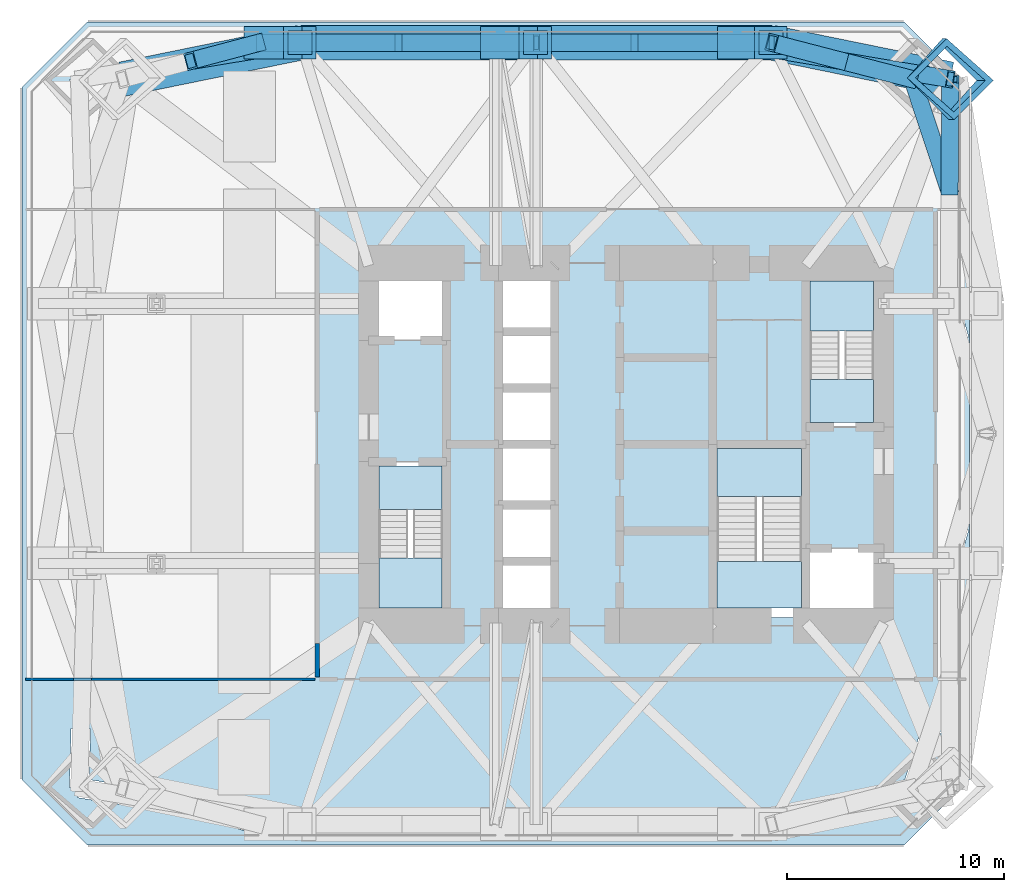
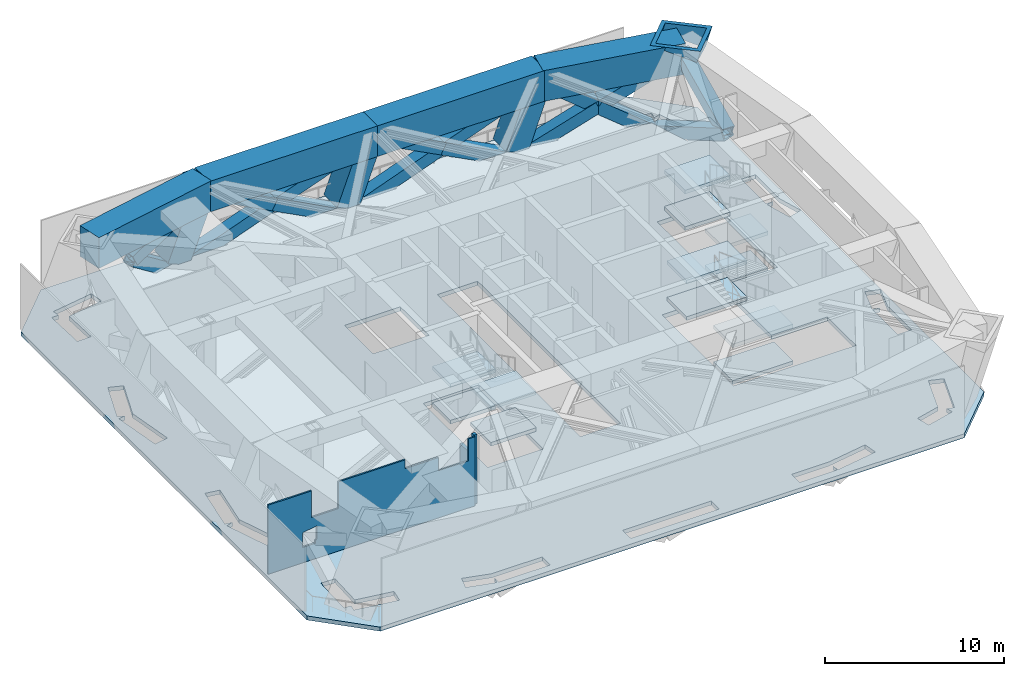
# One storey, part 3 of 8: 20 members, 13 slabs, 4 beams, 2 walls, 3 elements without a shape of their own.
"""IFC4 building model written with IfcOpenShell, lengths in metres."""

import ifcopenshell
import ifcopenshell.guid

model = None  # the IFC model being written
_history = None  # IfcOwnerHistory: only IFC2X3 demands one
_inside = {}  # id of a spatial element -> (the spatial element, [elements in it])
_under = {}  # id of a project, library or spatial element -> (it, [spatial elements below it])
_declared = {}  # id of a project -> (the project, [libraries it declares])
_typed = {}  # id of a type object -> (the type object, [elements of that type])
_made_of = {}  # id of a material, layer set ... -> (it, [elements and type objects made of it])


def new_model(schema):
    """Start an empty IFC model of exactly this schema.

    Asked for "IFC4X3", IfcOpenShell would pick the latest addendum, in which some entities
    have other attributes; the version numbers below select the first issue.
    IFC2X3 requires an IfcOwnerHistory on every rooted entity: one is made here for all.
    """
    global model, _history
    if schema == "IFC4X3":
        model = ifcopenshell.file(schema_version=(4, 3, 0, 0))
    else:
        model = ifcopenshell.file(schema=schema)
    _inside.clear()
    _under.clear()
    _declared.clear()
    _typed.clear()
    _made_of.clear()
    _history = None
    if model.schema == "IFC2X3":
        org = make("IfcOrganization", Name="unknown")
        user = make(
            "IfcPersonAndOrganization",
            ThePerson=make("IfcPerson", FamilyName="unknown"),
            TheOrganization=org,
        )
        app = make(
            "IfcApplication",
            ApplicationDeveloper=org,
            Version="unknown",
            ApplicationFullName="unknown",
            ApplicationIdentifier="unknown",
        )
        _history = make(
            "IfcOwnerHistory",
            OwningUser=user,
            OwningApplication=app,
            ChangeAction="ADDED",
            CreationDate=0,
        )
    return model


def make(cls, **values):
    """One entity of the class cls with the attributes given. An attribute that is None is left unset."""
    return model.create_entity(
        cls, **{name: value for name, value in values.items() if value is not None}
    )


def rooted(cls, **values):
    """An entity with a GlobalId (a new one), such as an element, a storey or a relation."""
    return make(cls, GlobalId=ifcopenshell.guid.new(), OwnerHistory=_history, **values)


def si_unit(unit_type, name, prefix=None):
    """IfcSIUnit, for example si_unit("LENGTHUNIT", "METRE", prefix="MILLI")."""
    return make("IfcSIUnit", UnitType=unit_type, Prefix=prefix, Name=name)


def assignment(units):
    """IfcUnitAssignment: the units of a project."""
    return None if units is None else make("IfcUnitAssignment", Units=units)


def point(xyz):
    """IfcCartesianPoint."""
    return None if xyz is None else make("IfcCartesianPoint", Coordinates=xyz)


def direction(xyz):
    """IfcDirection."""
    return None if xyz is None else make("IfcDirection", DirectionRatios=xyz)


def frame(location, z_axis=None, x_axis=None):
    """IfcAxis2Placement3D, a coordinate frame: its origin and axes. An axis left out is left unset."""
    return make(
        "IfcAxis2Placement3D",
        Location=point(location),
        Axis=direction(z_axis),
        RefDirection=direction(x_axis),
    )


def frame_2d(location, x_axis=None):
    """IfcAxis2Placement2D, a coordinate frame in the plane: its origin and x axis."""
    return make(
        "IfcAxis2Placement2D", Location=point(location), RefDirection=direction(x_axis)
    )


def origin():
    """The frame at (0, 0, 0) with its axes left unset."""
    return frame((0.0, 0.0, 0.0))


def origin_2d():
    """The frame at (0, 0) in the plane with its x axis left unset."""
    return frame_2d((0.0, 0.0))


def place(relative_to, where):
    """IfcLocalPlacement: puts the frame where relative to a parent placement (None: the world)."""
    return make(
        "IfcLocalPlacement", PlacementRelTo=relative_to, RelativePlacement=where
    )


def context(
    kind, dimensions, precision=None, world=None, true_north=None, identifier=None
):
    """IfcGeometricRepresentationContext, for example the 3D "Model" context."""
    return make(
        "IfcGeometricRepresentationContext",
        ContextIdentifier=identifier,
        ContextType=kind,
        CoordinateSpaceDimension=dimensions,
        Precision=precision,
        WorldCoordinateSystem=world,
        TrueNorth=true_north,
    )


def subcontext(parent, identifier, kind, view, scale=None):
    """IfcGeometricRepresentationSubContext, for example "Body" below "Model"."""
    return make(
        "IfcGeometricRepresentationSubContext",
        ContextIdentifier=identifier,
        ContextType=kind,
        ParentContext=parent,
        TargetScale=scale,
        TargetView=view,
    )


def project(units=None, contexts=None):
    """IfcProject with its units and contexts."""
    return rooted(
        "IfcProject",
        Name="project",
        RepresentationContexts=contexts,
        UnitsInContext=assignment(units),
    )


def spatial(cls, under=None, at=None, **own):
    """A site, building, storey or space (cls), placed at a placement, below another one or the project."""
    s = rooted(cls, ObjectPlacement=at, **own)
    if under is not None:
        _under.setdefault(under.id(), (under, []))[1].append(s)
    return s


def polyline(points):
    """IfcPolyline through the points."""
    return make("IfcPolyline", Points=[point(p) for p in points])


def profile(cls, at=None, kind="AREA", **sizes):
    """A parametric profile (cls). Its sizes go by their IFC names, for example OverallWidth=200.0."""
    return make(cls, ProfileType=kind, Position=at, **sizes)


def rectangle(**sizes):
    """IfcRectangleProfileDef."""
    return profile("IfcRectangleProfileDef", **sizes)


def hollow_rectangle(**sizes):
    """IfcRectangleHollowProfileDef."""
    return profile("IfcRectangleHollowProfileDef", **sizes)


def outline(outer, holes=None, kind="AREA"):
    """IfcArbitraryClosedProfileDef: a profile drawn as a closed curve; with holes, ...WithVoids."""
    if holes is None:
        return make("IfcArbitraryClosedProfileDef", ProfileType=kind, OuterCurve=outer)
    return make(
        "IfcArbitraryProfileDefWithVoids",
        ProfileType=kind,
        OuterCurve=outer,
        InnerCurves=holes,
    )


def extrude(swept, where, along, depth):
    """IfcExtrudedAreaSolid: the profile swept, set in the frame where, extruded along a direction by depth."""
    return make(
        "IfcExtrudedAreaSolid",
        SweptArea=swept,
        Position=where,
        ExtrudedDirection=direction(along),
        Depth=depth,
    )


def clip(a, b, op="DIFFERENCE"):
    """IfcBooleanClippingResult: the solid a cut by the half space b."""
    return make(
        "IfcBooleanClippingResult", Operator=op, FirstOperand=a, SecondOperand=b
    )


def halfspace(plane, agree):
    """IfcHalfSpaceSolid: all space on one side of the plane z = 0 of the frame plane."""
    return make(
        "IfcHalfSpaceSolid",
        BaseSurface=make("IfcPlane", Position=plane),
        AgreementFlag=agree,
    )


def shape(context_of_items, identifier, shape_type, items):
    """IfcShapeRepresentation: the items that make up one representation, for example the "Body"."""
    return make(
        "IfcShapeRepresentation",
        ContextOfItems=context_of_items,
        RepresentationIdentifier=identifier,
        RepresentationType=shape_type,
        Items=items,
    )


def material(Name=None, Category=None):
    """IfcMaterial."""
    return make("IfcMaterial", Name=Name, Category=Category)


def layer(
    of_material, thickness, ventilated=None, Name=None, Category=None, Priority=None
):
    """IfcMaterialLayer: one layer of a wall or slab, of a material (None: an air gap)."""
    return make(
        "IfcMaterialLayer",
        Material=of_material,
        LayerThickness=thickness,
        IsVentilated=ventilated,
        Name=Name,
        Category=Category,
        Priority=Priority,
    )


def layer_set(layers, Name=None):
    """IfcMaterialLayerSet."""
    return make("IfcMaterialLayerSet", MaterialLayers=layers, LayerSetName=Name)


def constituent(of_material, Name=None, Category=None, fraction=None):
    """IfcMaterialConstituent: one of the materials an element consists of."""
    return make(
        "IfcMaterialConstituent",
        Name=Name,
        Material=of_material,
        Fraction=fraction,
        Category=Category,
    )


def constituent_set(constituents=None, Name=None):
    """IfcMaterialConstituentSet."""
    return make(
        "IfcMaterialConstituentSet", Name=Name, MaterialConstituents=constituents
    )


def material_profile(
    of_material, cross_section, Name=None, Category=None, Priority=None
):
    """IfcMaterialProfile: a cross section and its material."""
    return make(
        "IfcMaterialProfile",
        Name=Name,
        Material=of_material,
        Profile=cross_section,
        Priority=Priority,
        Category=Category,
    )


def profile_set(profiles, Name=None, composite=None):
    """IfcMaterialProfileSet."""
    return make(
        "IfcMaterialProfileSet",
        Name=Name,
        MaterialProfiles=profiles,
        CompositeProfile=composite,
    )


def made_of(thing, what):
    """Note that an element or type object is made of a material, layer set ...; save() writes the relation."""
    if what is not None:
        _made_of.setdefault(what.id(), (what, []))[1].append(thing)
    return thing


def type_object(cls, material=None, **own):
    """A type object (cls), such as IfcWallType, which elements share."""
    return made_of(rooted(cls, **own), material)


def element(
    cls,
    number,
    at=None,
    inside=None,
    cuts=None,
    type_object=None,
    material=None,
    context=None,
    identifier="Body",
    shape_type=None,
    held_by="IfcProductDefinitionShape",
    body=None,
    shapes=None,
    **own,
):
    """One element of the class cls, such as IfcWall. Its Tag is "e" and its number.

    at: its placement. inside: the storey or other place that contains it. cuts: it is an
    opening in that element (IfcRelVoidsElement). A single representation is given by context,
    identifier, shape_type and body (its items); several are given by shapes. held_by: the class
    of the entity that holds the representations. save() writes the other relations.
    """
    e = rooted(cls, Tag="e%d" % number, ObjectPlacement=at, **own)
    if body is not None:
        shapes = [shape(context, identifier, shape_type, body)]
    if shapes is not None:
        e.Representation = make(held_by, Representations=shapes)
    if inside is not None:
        _inside.setdefault(inside.id(), (inside, []))[1].append(e)
    if cuts is not None:
        rooted(
            "IfcRelVoidsElement", RelatingBuildingElement=cuts, RelatedOpeningElement=e
        )
    if type_object is not None:
        _typed.setdefault(type_object.id(), (type_object, []))[1].append(e)
    return made_of(e, material)


def aggregate(whole, parts):
    """IfcRelAggregates: a whole, such as a stair, and the parts it consists of."""
    return rooted("IfcRelAggregates", RelatingObject=whole, RelatedObjects=parts)


def save(model, path):
    """Write the relations noted so far, then the file.

    IfcRelAggregates (storeys below a building ...), IfcRelContainedInSpatialStructure (elements
    in a storey), IfcRelDefinesByType, IfcRelAssociatesMaterial and IfcRelDeclares: one each for
    every whole, place, type object, material and project.
    """
    for whole, parts in _under.values():
        aggregate(whole, parts)
    for where, things in _inside.values():
        rooted(
            "IfcRelContainedInSpatialStructure",
            RelatedElements=things,
            RelatingStructure=where,
        )
    for kind, things in _typed.values():
        rooted("IfcRelDefinesByType", RelatedObjects=things, RelatingType=kind)
    for what, things in _made_of.values():
        rooted("IfcRelAssociatesMaterial", RelatedObjects=things, RelatingMaterial=what)
    for by, libraries in _declared.values():
        rooted("IfcRelDeclares", RelatingContext=by, RelatedDefinitions=libraries)
    model.write(path)


model = new_model("IFC4")

# Units and contexts
model_context = context("Model", 3, precision=1e-05, world=origin(), true_north=direction((0.0, 1.0)))
body_context = subcontext(model_context, "Body", "Model", "MODEL_VIEW")
ifc_project = project(units=[si_unit("LENGTHUNIT", "METRE"), si_unit("AREAUNIT", "SQUARE_METRE"), si_unit("VOLUMEUNIT", "CUBIC_METRE"), si_unit("PLANEANGLEUNIT", "RADIAN"), si_unit("MASSUNIT", "GRAM", prefix="KILO")], contexts=[model_context])

# Site, building, storey
site_placement = place(None, origin())
site = spatial("IfcSite", under=ifc_project, at=site_placement, CompositionType="ELEMENT")
building_placement = place(site_placement, origin())
building = spatial("IfcBuilding", under=site, at=building_placement, Name="Jalousie Tower", CompositionType="ELEMENT")
storey_placement = place(building_placement, frame((0.0, 0.0, 79.75)))
storey = spatial("IfcBuildingStorey", under=building, at=storey_placement, Name="L21", CompositionType="ELEMENT", Elevation=79.75)

# Members
ifc_material_1 = material(Name="Steel EN 10025-2 S355J2 plate", Category="steel")
ifc_material_profile_1 = material_profile(ifc_material_1, hollow_rectangle(XDim=2.5, YDim=2.800048828125, WallThickness=0.25, at=origin_2d()), Name="BOX 2800x2500x250")
ifc_profile_set_1 = profile_set([ifc_material_profile_1], Name="Steel EN 10025-2 S355J2 plate")
member_type_1 = type_object("IfcMemberType", Name="KINK NODE BOX 2800x2500x250", PredefinedType="MEMBER", material=ifc_profile_set_1)
member_1_placement = place(storey_placement, frame((46.651611328125, 35.36865234375, 4.380126953125), z_axis=(0.330300747079, 0.0, 0.943875742076), x_axis=(-0.647875004471, -0.727225506888, 0.226717976161)))
element("IfcMember", 1, at=member_1_placement, inside=storey, type_object=member_type_1, Name="Kink node of corner column 08 at +84.750", PredefinedType="MEMBER", context=body_context, shape_type="Clipping", body=[
    clip(extrude(hollow_rectangle(XDim=2.5, YDim=2.800048828125, WallThickness=0.25, at=origin_2d()), origin(), (0.0, 0.0, 1.0), 1.3134765625), halfspace(frame((0.0, 0.0, 0.65673828125), z_axis=(0.226717976161, -0.24020312822, 0.943875742076)), False)),
])
ifc_material_2 = material(Name="Steel ASTM A572 Grade 50 plate", Category="steel")
ifc_material_profile_2 = material_profile(ifc_material_2, hollow_rectangle(XDim=0.800048828125, YDim=0.800048828125, WallThickness=0.080078125, at=origin_2d()), Name="BOX 800x800x80")
ifc_profile_set_2 = profile_set([ifc_material_profile_2], Name="Steel ASTM A572 Grade 50 plate")
member_type_2 = type_object("IfcMemberType", Name="PERIMETER BRACE BOX 800x800x80", PredefinedType="BRACE", material=ifc_profile_set_2)
member_2_placement = place(storey_placement, frame((46.834228515625, 30.184326171875, 1.60009765625), z_axis=(0.006047628272, 0.910789974089, 0.41282568875), x_axis=(-0.999977956054, 0.006639834792, 0.0)))
element("IfcMember", 2, at=member_2_placement, inside=storey, type_object=member_type_2, Name="Perimeter brace 07-08 L21 part 2", PredefinedType="BRACE", context=body_context, shape_type="SweptSolid", body=[
    extrude(hollow_rectangle(XDim=0.800048828125, YDim=0.800048828125, WallThickness=0.080078125, at=origin_2d()), origin(), (0.0, 0.0, 1.0), 5.692138671875),
])
member_3_placement = place(storey_placement, frame((45.11865234375, 35.36865234375, -0.75), z_axis=(0.288573104817, -0.872043529356, 0.395304497932), x_axis=(0.949369549214, 0.314161517416, 0.0)))
element("IfcMember", 3, at=member_3_placement, inside=storey, type_object=member_type_2, Name="Perimeter brace 07-08 L21 part 3", PredefinedType="BRACE", context=body_context, shape_type="SweptSolid", body=[
    extrude(hollow_rectangle(XDim=0.800048828125, YDim=0.800048828125, WallThickness=0.080078125, at=origin_2d()), origin(), (0.0, 0.0, 1.0), 5.945068359375),
])
member_4_placement = place(storey_placement, frame((45.11865234375, 35.36865234375, -0.75), z_axis=(-0.792981500214, 0.204542650977, 0.573883824698), x_axis=(-0.249766123942, -0.968306192963, 0.0)))
element("IfcMember", 4, at=member_4_placement, inside=storey, type_object=member_type_2, Name="Perimeter brace 08-09 L21 part 1", PredefinedType="BRACE", context=body_context, shape_type="SweptSolid", body=[
    extrude(hollow_rectangle(XDim=0.800048828125, YDim=0.800048828125, WallThickness=0.080078125, at=origin_2d()), origin(), (0.0, 0.0, 1.0), 4.109619140625),
])
member_5_placement = place(storey_placement, frame((41.85986328125, 36.209228515625, 1.6083984375), z_axis=(-0.792673232586, 0.206035216077, 0.573775771602), x_axis=(-0.251565431737, -0.967840293414, 0.0)))
element("IfcMember", 5, at=member_5_placement, inside=storey, type_object=member_type_2, Name="Perimeter brace 08-09 L21 part 2", PredefinedType="BRACE", context=body_context, shape_type="SweptSolid", body=[
    extrude(hollow_rectangle(XDim=0.800048828125, YDim=0.800048828125, WallThickness=0.080078125, at=origin_2d()), origin(), (0.0, 0.0, 1.0), 4.0810546875),
])
member_6_placement = place(storey_placement, frame((36.8125, 37.050048828125, -0.75), z_axis=(0.895834111449, -0.149233466181, 0.418581673435), x_axis=(0.164321615289, 0.98640681605, 0.0)))
element("IfcMember", 6, at=member_6_placement, inside=storey, type_object=member_type_2, Name="Perimeter brace 08-09 L21 part 3", PredefinedType="BRACE", context=body_context, shape_type="SweptSolid", body=[
    extrude(hollow_rectangle(XDim=0.800048828125, YDim=0.800048828125, WallThickness=0.080078125, at=origin_2d()), origin(), (0.0, 0.0, 1.0), 5.63427734375),
])
member_7_placement = place(storey_placement, frame((41.85986328125, 36.209228515625, 1.6083984375), z_axis=(0.895606801225, -0.150300946413, 0.418686139138), x_axis=(0.165505798253, 0.986208817008, 0.0)))
element("IfcMember", 7, at=member_7_placement, inside=storey, type_object=member_type_2, Name="Perimeter brace 08-09 L21 part 4", PredefinedType="BRACE", context=body_context, shape_type="SweptSolid", body=[
    extrude(hollow_rectangle(XDim=0.800048828125, YDim=0.800048828125, WallThickness=0.080078125, at=origin_2d()), origin(), (0.0, 0.0, 1.0), 5.592529296875),
])
member_8_placement = place(storey_placement, frame((36.8125, 37.050048828125, -0.75), z_axis=(-0.887719158296, 0.0, 0.460385377694), x_axis=(0.0, -1.0, 0.0)))
element("IfcMember", 8, at=member_8_placement, inside=storey, type_object=member_type_2, Name="Perimeter brace 09-10 L21 part 1", PredefinedType="BRACE", context=body_context, shape_type="SweptSolid", body=[
    extrude(hollow_rectangle(XDim=0.800048828125, YDim=0.800048828125, WallThickness=0.080078125, at=origin_2d()), origin(), (0.0, 0.0, 1.0), 5.118896484375),
])
member_9_placement = place(storey_placement, frame((32.268310546875, 37.050048828125, 1.606689453125), z_axis=(-0.887719681747, 0.0, 0.460384368369), x_axis=(0.0, -1.0, 0.0)))
element("IfcMember", 9, at=member_9_placement, inside=storey, type_object=member_type_2, Name="Perimeter brace 09-10 L21 part 2", PredefinedType="BRACE", context=body_context, shape_type="SweptSolid", body=[
    extrude(hollow_rectangle(XDim=0.800048828125, YDim=0.800048828125, WallThickness=0.080078125, at=origin_2d()), origin(), (0.0, 0.0, 1.0), 5.08984375),
])
member_10_placement = place(storey_placement, frame((25.875, 37.050048828125, -0.75), z_axis=(0.938283152813, 0.0, 0.345868074774), x_axis=(0.0, 1.0, 0.0)))
element("IfcMember", 10, at=member_10_placement, inside=storey, type_object=member_type_2, Name="Perimeter brace 09-10 L21 part 3", PredefinedType="BRACE", context=body_context, shape_type="SweptSolid", body=[
    extrude(hollow_rectangle(XDim=0.800048828125, YDim=0.800048828125, WallThickness=0.080078125, at=origin_2d()), origin(), (0.0, 0.0, 1.0), 6.813720703125),
])
member_11_placement = place(storey_placement, frame((32.268310546875, 37.050048828125, 1.606689453125), z_axis=(0.938279729725, 0.0, 0.345877360906), x_axis=(0.0, 1.0, 0.0)))
element("IfcMember", 11, at=member_11_placement, inside=storey, type_object=member_type_2, Name="Perimeter brace 09-10 L21 part 4", PredefinedType="BRACE", context=body_context, shape_type="SweptSolid", body=[
    extrude(hollow_rectangle(XDim=0.800048828125, YDim=0.800048828125, WallThickness=0.080078125, at=origin_2d()), origin(), (0.0, 0.0, 1.0), 6.77490234375),
])
member_12_placement = place(storey_placement, frame((25.875, 37.050048828125, -0.75), z_axis=(-0.886414634316, 0.0, 0.462892099814), x_axis=(0.0, -1.0, 0.0)))
element("IfcMember", 12, at=member_12_placement, inside=storey, type_object=member_type_2, Name="Perimeter brace 10-11 L21 part 1", PredefinedType="BRACE", context=body_context, shape_type="SweptSolid", body=[
    extrude(hollow_rectangle(XDim=0.800048828125, YDim=0.800048828125, WallThickness=0.080078125, at=origin_2d()), origin(), (0.0, 0.0, 1.0), 5.09130859375),
])
member_13_placement = place(storey_placement, frame((21.362060546875, 37.050048828125, 1.606689453125), z_axis=(-0.886407629576, 0.0, 0.462905513285), x_axis=(0.0, -1.0, 0.0)))
element("IfcMember", 13, at=member_13_placement, inside=storey, type_object=member_type_2, Name="Perimeter brace 10-11 L21 part 2", PredefinedType="BRACE", context=body_context, shape_type="SweptSolid", body=[
    extrude(hollow_rectangle(XDim=0.800048828125, YDim=0.800048828125, WallThickness=0.080078125, at=origin_2d()), origin(), (0.0, 0.0, 1.0), 5.06201171875),
])
member_14_placement = place(storey_placement, frame((14.9375, 37.050048828125, -0.75), z_axis=(0.938828260466, 0.0, 0.344385681105), x_axis=(0.0, 1.0, 0.0)))
element("IfcMember", 14, at=member_14_placement, inside=storey, type_object=member_type_2, Name="Perimeter brace 10-11 L21 part 3", PredefinedType="BRACE", context=body_context, shape_type="SweptSolid", body=[
    extrude(hollow_rectangle(XDim=0.800048828125, YDim=0.800048828125, WallThickness=0.080078125, at=origin_2d()), origin(), (0.0, 0.0, 1.0), 6.84326171875),
])
member_15_placement = place(storey_placement, frame((21.362060546875, 37.050048828125, 1.606689453125), z_axis=(0.938827984933, 0.0, 0.344386432233), x_axis=(0.0, 1.0, 0.0)))
element("IfcMember", 15, at=member_15_placement, inside=storey, type_object=member_type_2, Name="Perimeter brace 10-11 L21 part 4", PredefinedType="BRACE", context=body_context, shape_type="SweptSolid", body=[
    extrude(hollow_rectangle(XDim=0.800048828125, YDim=0.800048828125, WallThickness=0.080078125, at=origin_2d()), origin(), (0.0, 0.0, 1.0), 6.80419921875),
])
member_16_placement = place(storey_placement, frame((14.9375, 37.050048828125, -0.75), z_axis=(-0.78425599447, -0.20830003772, 0.584425897291), x_axis=(0.256701936277, -0.966490618636, 0.0)))
element("IfcMember", 16, at=member_16_placement, inside=storey, type_object=member_type_2, Name="Perimeter brace 11-12 L21 part 1", PredefinedType="BRACE", context=body_context, shape_type="SweptSolid", body=[
    extrude(hollow_rectangle(XDim=0.800048828125, YDim=0.800048828125, WallThickness=0.080078125, at=origin_2d()), origin(), (0.0, 0.0, 1.0), 4.035400390625),
])
member_17_placement = place(storey_placement, frame((11.772705078125, 36.20947265625, 1.6083984375), z_axis=(0.898842453647, 0.14807955251, 0.412498108662), x_axis=(-0.162553573519, 0.986699719133, 0.0)))
element("IfcMember", 17, at=member_17_placement, inside=storey, type_object=member_type_2, Name="Perimeter brace 11-12 L21 part 4", PredefinedType="BRACE", context=body_context, shape_type="SweptSolid", body=[
    extrude(hollow_rectangle(XDim=0.800048828125, YDim=0.800048828125, WallThickness=0.080078125, at=origin_2d()), origin(), (0.0, 0.0, 1.0), 5.676513671875),
])

# Beams
ifc_material_3 = material(Name="Concrete f'c 40 MPa", Category="concrete")
ifc_material_profile_3 = material_profile(ifc_material_3, rectangle(XDim=1.60009765625, YDim=2.10009765625, at=origin_2d()), Name="RC 1600x2100")
ifc_profile_set_3 = profile_set([ifc_material_profile_3], Name="Concrete f'c 40 MPa")
beam_type = type_object("IfcBeamType", Name="RC BEAM 1600x2100", PredefinedType="BEAM", material=ifc_profile_set_3)
beam_1_placement = place(storey_placement, frame((46.86865234375, 35.36865234375, 3.949951171875), z_axis=(-0.97982690954, 0.199848010602, 0.0), x_axis=(-0.199848010602, -0.97982690954, 0.0)))
element("IfcBeam", 18, at=beam_1_placement, inside=storey, type_object=beam_type, Name="Edge band beam 08-09 under L22", PredefinedType="BEAM", context=body_context, shape_type="SweptSolid", body=[
    extrude(rectangle(XDim=1.60009765625, YDim=2.10009765625, at=origin_2d()), origin(), (0.0, 0.0, 1.0), 8.413330078125),
])
for number, where, z_axis, x_axis, name in (
    (19, (38.625, 37.050048828125, 3.949951171875), (-1.0, 0.0, 0.0), (0.0, -1.0, 0.0), "Edge band beam 09-10 under L22"),
    (20, (27.75, 37.050048828125, 3.949951171875), (-1.0, 0.0, 0.0), (0.0, -1.0, 0.0), "Edge band beam 10-11 under L22"),
):
    element("IfcBeam", number, at=place(storey_placement, frame(where, z_axis=z_axis, x_axis=x_axis)), inside=storey, type_object=beam_type, Name=name, PredefinedType="BEAM", context=body_context, shape_type="SweptSolid", body=[
        extrude(rectangle(XDim=1.60009765625, YDim=2.10009765625, at=origin_2d()), origin(), (0.0, 0.0, 1.0), 10.875),
    ])
beam_2_placement = place(storey_placement, frame((16.875, 37.050048828125, 3.949951171875), z_axis=(-0.97982690954, -0.199848010602, 0.0), x_axis=(0.199848010602, -0.97982690954, 0.0)))
element("IfcBeam", 21, at=beam_2_placement, inside=storey, type_object=beam_type, Name="Edge band beam 11-12 under L22", PredefinedType="BEAM", context=body_context, shape_type="SweptSolid", body=[
    extrude(rectangle(XDim=1.60009765625, YDim=2.10009765625, at=origin_2d()), origin(), (0.0, 0.0, 1.0), 8.413330078125),
])

# Members
ifc_material_4 = material(Name="Steel EN 10025-2 S355J2 plate", Category="steel")
ifc_material_profile_4 = material_profile(ifc_material_4, hollow_rectangle(XDim=1.5, YDim=1.5, WallThickness=0.199951171875, at=origin_2d()), Name="BOX 1500x1500x200")
ifc_profile_set_4 = profile_set([ifc_material_profile_4], Name="Steel EN 10025-2 S355J2 plate")
member_type_3 = type_object("IfcMemberType", Name="TRANSFER TRUSS STRUT BOX 1500x1500x200", PredefinedType="STRUT", material=ifc_profile_set_4)
member_18_placement = place(storey_placement, frame((36.8125, 37.050048828125, 0.0), z_axis=(0.340799323621, 0.0, 0.940136065162), x_axis=(0.0, 1.0, 0.0)))
element("IfcMember", 22, at=member_18_placement, inside=storey, type_object=member_type_3, Name="Transfer truss T1 strut 09 L21", PredefinedType="STRUT", context=body_context, shape_type="Clipping", body=[
    clip(extrude(hollow_rectangle(XDim=1.5, YDim=1.5, WallThickness=0.199951171875, at=origin_2d()), origin(), (0.0, 0.0, 1.0), 5.318359375), halfspace(frame((0.0, 0.0, 5.297119140625), z_axis=(0.0, 0.340799323621, 0.940136065162)), False)),
])
member_19_placement = place(storey_placement, frame((25.875, 37.050048828125, 0.0), z_axis=(0.351123441588, 0.0, 0.936329177569), x_axis=(0.0, 1.0, 0.0)))
element("IfcMember", 23, at=member_19_placement, inside=storey, type_object=member_type_3, Name="Transfer truss T1 strut 10 L21", PredefinedType="STRUT", context=body_context, shape_type="Clipping", body=[
    clip(extrude(hollow_rectangle(XDim=1.5, YDim=1.5, WallThickness=0.199951171875, at=origin_2d()), origin(), (0.0, 0.0, 1.0), 5.340087890625), halfspace(frame((0.0, 0.0, 5.318603515625), z_axis=(0.0, 0.351123441588, 0.936329177569)), False)),
])
member_20_placement = place(storey_placement, frame((14.9375, 37.050048828125, 0.0), z_axis=(0.361321067759, 0.0, 0.932441465184), x_axis=(0.0, 1.0, 0.0)))
element("IfcMember", 24, at=member_20_placement, inside=storey, type_object=member_type_3, Name="Transfer truss T1 strut 11 L21", PredefinedType="STRUT", context=body_context, shape_type="Clipping", body=[
    clip(extrude(hollow_rectangle(XDim=1.5, YDim=1.5, WallThickness=0.199951171875, at=origin_2d()), origin(), (0.0, 0.0, 1.0), 5.3623046875), halfspace(frame((0.0, 0.0, 5.3408203125), z_axis=(0.0, 0.361321067759, 0.932441465184)), False)),
])

# Slab
ifc_material_5 = material(Name="Concrete f'c 40 MPa", Category="concrete")
ifc_layer_1 = layer(ifc_material_5, 0.280029296875)
ifc_layer_set_1 = layer_set([ifc_layer_1], Name="Concrete f'c 40 MPa")
slab_type_1 = type_object("IfcSlabType", Name="FLOOR SLAB 280", PredefinedType="FLOOR", material=ifc_layer_set_1)
slab_1_placement = place(storey_placement, frame((0.0, 0.0, -0.280029296875)))
element("IfcSlab", 25, at=slab_1_placement, inside=storey, type_object=slab_type_1, Name="L21 floor slab", PredefinedType="FLOOR", context=body_context, shape_type="SweptSolid", body=[
    extrude(outline(polyline([(7.0, 0.0), (44.75, 0.0), (47.75, 3.0), (47.75, 35.0), (44.75, 38.0), (7.0, 38.0), (4.0, 35.0), (4.0, 3.0), (7.0, 0.0)]), holes=[polyline([(23.47900390625, 1.39990234375), (25.875, 1.39990234375), (29.201904296875, 1.39990234375), (29.201904296875, 0.5), (25.875, 0.5), (25.875, 0.5), (23.47900390625, 0.5), (23.47900390625, 1.39990234375)]), polyline([(14.822021484375, 0.51513671875), (13.087158203125, 0.975830078125), (13.318115234375, 1.845703125), (14.99609375, 1.39990234375), (18.27978515625, 1.39990234375), (18.27978515625, 0.5), (14.9375, 0.5), (14.9375, 0.949951171875), (14.822021484375, 0.51513671875)]), polyline([(6.265625, 5.37890625), (7.165283203125, 5.351318359375), (7.09326171875, 3.01171875), (9.405029296875, 2.6337890625), (9.260009765625, 1.74560546875), (6.55859375, 2.187255859375), (6.63134765625, 2.63134765625), (6.181640625, 2.645263671875), (6.265625, 5.37890625)]), polyline([(5.029052734375, 16.21142578125), (5.916748046875, 16.0634765625), (5.4130859375, 13.041015625), (6.34130859375, 10.426025390625), (5.493408203125, 10.125), (4.52587890625, 12.849365234375), (4.949951171875, 13.0), (4.506103515625, 13.073974609375), (5.029052734375, 16.21142578125)]), polyline([(20.0, 10.5), (23.60009765625, 10.5), (23.60009765625, 17.699951171875), (20.0, 17.699951171875), (20.0, 10.5)]), polyline([(26.0, 10.5), (26.0, 26.5), (28.60009765625, 26.5), (28.60009765625, 10.5), (26.0, 10.5)]), polyline([(4.52587890625, 25.150634765625), (5.493408203125, 27.875), (6.34130859375, 27.573974609375), (5.4130859375, 24.958984375), (5.916748046875, 21.9365234375), (5.029052734375, 21.78857421875), (4.506103515625, 24.926025390625), (4.949951171875, 25.0), (4.52587890625, 25.150634765625)]), polyline([(20.0, 23.300048828125), (23.60009765625, 23.300048828125), (23.60009765625, 26.5), (20.0, 26.5), (20.0, 23.300048828125)]), polyline([(9.260009765625, 36.25439453125), (9.405029296875, 35.3662109375), (7.09326171875, 34.98828125), (7.165283203125, 32.648681640625), (6.265625, 32.62109375), (6.181640625, 35.354736328125), (6.63134765625, 35.36865234375), (6.55859375, 35.812744140625), (9.260009765625, 36.25439453125)]), polyline([(18.27978515625, 37.5), (18.27978515625, 36.60009765625), (14.99609375, 36.60009765625), (13.318115234375, 36.154296875), (13.087158203125, 37.024169921875), (14.822021484375, 37.48486328125), (14.9375, 37.050048828125), (14.9375, 37.5), (18.27978515625, 37.5)]), polyline([(23.47900390625, 37.5), (25.875, 37.5), (29.201904296875, 37.5), (29.201904296875, 36.60009765625), (25.875, 36.60009765625), (23.47900390625, 36.60009765625), (23.47900390625, 37.5)]), polyline([(36.886474609375, 0.506103515625), (36.8125, 0.949951171875), (36.8125, 0.5), (34.401123046875, 0.5), (34.401123046875, 1.39990234375), (36.775390625, 1.39990234375), (39.393310546875, 1.836181640625), (39.541015625, 0.9482421875), (36.886474609375, 0.506103515625)]), polyline([(45.5458984375, 2.489990234375), (45.11865234375, 2.63134765625), (45.23095703125, 2.195556640625), (43.45068359375, 1.736328125), (43.225830078125, 2.60791015625), (44.7685546875, 3.005859375), (45.593505859375, 5.498291015625), (46.44775390625, 5.215576171875), (45.5458984375, 2.489990234375)]), polyline([(35.89990234375, 10.5), (35.89990234375, 18.5), (40.199951171875, 18.5), (40.199951171875, 13.699951171875), (43.800048828125, 13.699951171875), (43.800048828125, 10.5), (35.89990234375, 10.5)]), polyline([(46.852294921875, 14.7861328125), (47.71630859375, 14.5341796875), (47.25048828125, 12.937255859375), (47.26806640625, 10.269287109375), (46.3681640625, 10.26318359375), (46.35009765625, 12.9970703125), (46.800048828125, 13.0), (46.367919921875, 13.1259765625), (46.852294921875, 14.7861328125)]), polyline([(40.199951171875, 19.300048828125), (43.800048828125, 19.300048828125), (43.800048828125, 26.5), (40.199951171875, 26.5), (40.199951171875, 19.300048828125)]), polyline([(46.35009765625, 25.0029296875), (46.3681640625, 27.73681640625), (47.26806640625, 27.730712890625), (47.25048828125, 25.062744140625), (47.71630859375, 23.4658203125), (46.852294921875, 23.2138671875), (46.367919921875, 24.8740234375), (46.800048828125, 25.0), (46.35009765625, 25.0029296875)]), polyline([(45.593505859375, 32.501708984375), (44.7685546875, 34.994140625), (43.225830078125, 35.39208984375), (43.45068359375, 36.263671875), (45.23095703125, 35.804443359375), (45.11865234375, 35.36865234375), (45.5458984375, 35.510009765625), (46.44775390625, 32.784423828125), (45.593505859375, 32.501708984375)]), polyline([(36.8125, 37.5), (36.8125, 37.050048828125), (36.886474609375, 37.493896484375), (39.541015625, 37.0517578125), (39.393310546875, 36.163818359375), (36.775390625, 36.60009765625), (34.401123046875, 36.60009765625), (34.401123046875, 37.5), (36.8125, 37.5)])]), origin(), (0.0, 0.0, 1.0), 0.280029296875),
])

# Stair, slabs
ifc_material_6 = material(Name="Concrete f'c 40 MPa", Category="concrete")
stair_type = type_object("IfcStairType", Name="EXIT STAIR", PredefinedType="HALF_TURN_STAIR", material=ifc_material_6)
stair_1_placement = place(storey_placement, origin())
stair_1 = element("IfcStair", 26, at=stair_1_placement, inside=storey, type_object=stair_type, Name="Exit stair A L21", PredefinedType="HALF_TURN_STAIR")
ifc_material_7 = material(Name="Concrete f'c 40 MPa", Category="concrete")
ifc_layer_2 = layer(ifc_material_7, 0.25)
ifc_layer_set_2 = layer_set([ifc_layer_2], Name="Concrete f'c 40 MPa")
slab_type_2 = type_object("IfcSlabType", Name="STAIR LANDING 250", PredefinedType="LANDING", material=ifc_layer_set_2)
slab_2_placement = place(storey_placement, frame((0.0, 0.0, -0.25)))
slab_2 = element("IfcSlab", 27, at=slab_2_placement, type_object=slab_type_2, Name="ST-A landing 1", PredefinedType="LANDING", context=body_context, shape_type="SweptSolid", body=[
    extrude(outline(polyline([(20.47509765625, 15.49755859375), (23.39990234375, 15.49755859375), (23.39990234375, 17.5), (20.47509765625, 17.5), (20.47509765625, 15.49755859375)])), origin(), (0.0, 0.0, 1.0), 0.25),
])
slab_3_placement = place(storey_placement, frame((0.0, 0.0, 1.0)))
slab_3 = element("IfcSlab", 28, at=slab_3_placement, type_object=slab_type_2, Name="ST-A landing 2", PredefinedType="LANDING", context=body_context, shape_type="SweptSolid", body=[
    extrude(outline(polyline([(20.47509765625, 10.949951171875), (23.39990234375, 10.949951171875), (23.39990234375, 13.257568359375), (20.47509765625, 13.257568359375), (20.47509765625, 10.949951171875)])), origin(), (0.0, 0.0, 1.0), 0.25),
])
slab_4_placement = place(storey_placement, frame((0.0, 0.0, 2.25)))
slab_4 = element("IfcSlab", 29, at=slab_4_placement, type_object=slab_type_2, Name="ST-A landing 3", PredefinedType="LANDING", context=body_context, shape_type="SweptSolid", body=[
    extrude(outline(polyline([(20.47509765625, 15.49755859375), (23.39990234375, 15.49755859375), (23.39990234375, 17.5), (20.47509765625, 17.5), (20.47509765625, 15.49755859375)])), origin(), (0.0, 0.0, 1.0), 0.25),
])
slab_5_placement = place(storey_placement, frame((0.0, 0.0, 3.5)))
slab_5 = element("IfcSlab", 30, at=slab_5_placement, type_object=slab_type_2, Name="ST-A landing 4", PredefinedType="LANDING", context=body_context, shape_type="SweptSolid", body=[
    extrude(outline(polyline([(20.47509765625, 10.949951171875), (23.39990234375, 10.949951171875), (23.39990234375, 13.257568359375), (20.47509765625, 13.257568359375), (20.47509765625, 10.949951171875)])), origin(), (0.0, 0.0, 1.0), 0.25),
])
aggregate(stair_1, [slab_2, slab_3, slab_4, slab_5])

stair_2_placement = place(storey_placement, origin())
stair_2 = element("IfcStair", 31, at=stair_2_placement, inside=storey, type_object=stair_type, Name="Exit stair B L21", PredefinedType="HALF_TURN_STAIR")
slab_6_placement = place(storey_placement, frame((0.0, 0.0, -0.25)))
slab_6 = element("IfcSlab", 32, at=slab_6_placement, type_object=slab_type_2, Name="ST-B landing 1", PredefinedType="LANDING", context=body_context, shape_type="SweptSolid", body=[
    extrude(outline(polyline([(40.39990234375, 19.5), (43.324951171875, 19.5), (43.324951171875, 21.50244140625), (40.39990234375, 21.50244140625), (40.39990234375, 19.5)])), origin(), (0.0, 0.0, 1.0), 0.25),
])
slab_7_placement = place(storey_placement, frame((0.0, 0.0, 1.0)))
slab_7 = element("IfcSlab", 33, at=slab_7_placement, type_object=slab_type_2, Name="ST-B landing 2", PredefinedType="LANDING", context=body_context, shape_type="SweptSolid", body=[
    extrude(outline(polyline([(40.39990234375, 23.742431640625), (43.324951171875, 23.742431640625), (43.324951171875, 26.050048828125), (40.39990234375, 26.050048828125), (40.39990234375, 23.742431640625)])), origin(), (0.0, 0.0, 1.0), 0.25),
])
slab_8_placement = place(storey_placement, frame((0.0, 0.0, 2.25)))
slab_8 = element("IfcSlab", 34, at=slab_8_placement, type_object=slab_type_2, Name="ST-B landing 3", PredefinedType="LANDING", context=body_context, shape_type="SweptSolid", body=[
    extrude(outline(polyline([(40.39990234375, 19.5), (43.324951171875, 19.5), (43.324951171875, 21.50244140625), (40.39990234375, 21.50244140625), (40.39990234375, 19.5)])), origin(), (0.0, 0.0, 1.0), 0.25),
])
slab_9_placement = place(storey_placement, frame((0.0, 0.0, 3.5)))
slab_9 = element("IfcSlab", 35, at=slab_9_placement, type_object=slab_type_2, Name="ST-B landing 4", PredefinedType="LANDING", context=body_context, shape_type="SweptSolid", body=[
    extrude(outline(polyline([(40.39990234375, 23.742431640625), (43.324951171875, 23.742431640625), (43.324951171875, 26.050048828125), (40.39990234375, 26.050048828125), (40.39990234375, 23.742431640625)])), origin(), (0.0, 0.0, 1.0), 0.25),
])
aggregate(stair_2, [slab_6, slab_7, slab_8, slab_9])

stair_3_placement = place(storey_placement, origin())
stair_3 = element("IfcStair", 36, at=stair_3_placement, inside=storey, type_object=stair_type, Name="Exit stair C L21", PredefinedType="HALF_TURN_STAIR")
slab_10_placement = place(storey_placement, frame((0.0, 0.0, -0.25)))
slab_10 = element("IfcSlab", 37, at=slab_10_placement, type_object=slab_type_2, Name="ST-C landing 1", PredefinedType="LANDING", context=body_context, shape_type="SweptSolid", body=[
    extrude(outline(polyline([(36.10009765625, 10.949951171875), (40.0, 10.949951171875), (40.0, 13.097412109375), (36.10009765625, 13.097412109375), (36.10009765625, 10.949951171875)])), origin(), (0.0, 0.0, 1.0), 0.25),
])
slab_11_placement = place(storey_placement, frame((0.0, 0.0, 1.0)))
slab_11 = element("IfcSlab", 38, at=slab_11_placement, type_object=slab_type_2, Name="ST-C landing 2", PredefinedType="LANDING", context=body_context, shape_type="SweptSolid", body=[
    extrude(outline(polyline([(36.10009765625, 16.097412109375), (40.0, 16.097412109375), (40.0, 18.300048828125), (36.10009765625, 18.300048828125), (36.10009765625, 16.097412109375)])), origin(), (0.0, 0.0, 1.0), 0.25),
])
slab_12_placement = place(storey_placement, frame((0.0, 0.0, 2.25)))
slab_12 = element("IfcSlab", 39, at=slab_12_placement, type_object=slab_type_2, Name="ST-C landing 3", PredefinedType="LANDING", context=body_context, shape_type="SweptSolid", body=[
    extrude(outline(polyline([(36.10009765625, 10.949951171875), (40.0, 10.949951171875), (40.0, 13.097412109375), (36.10009765625, 13.097412109375), (36.10009765625, 10.949951171875)])), origin(), (0.0, 0.0, 1.0), 0.25),
])
slab_13_placement = place(storey_placement, frame((0.0, 0.0, 3.5)))
slab_13 = element("IfcSlab", 40, at=slab_13_placement, type_object=slab_type_2, Name="ST-C landing 4", PredefinedType="LANDING", context=body_context, shape_type="SweptSolid", body=[
    extrude(outline(polyline([(36.10009765625, 16.097412109375), (40.0, 16.097412109375), (40.0, 18.300048828125), (36.10009765625, 18.300048828125), (36.10009765625, 16.097412109375)])), origin(), (0.0, 0.0, 1.0), 0.25),
])
aggregate(stair_3, [slab_10, slab_11, slab_12, slab_13])

# Walls
ifc_material_8 = material(Name="Concrete block ASTM C90", Category="concrete")
ifc_constituent_1 = constituent(ifc_material_8, Name="Body")
ifc_material_9 = material(Name="Render")
ifc_constituent_2 = constituent(ifc_material_9, Name="Finish")
ifc_constituent_set_1 = constituent_set(constituents=[ifc_constituent_1, ifc_constituent_2])
wall_type_1 = type_object("IfcWallType", Name="CORRIDOR WALL 200", PredefinedType="PARTITIONING", material=ifc_constituent_set_1)
wall_1_placement = place(storey_placement, frame((17.625, 7.75, 0.0), z_axis=(0.0, 0.0, 1.0), x_axis=(0.0, 1.0, 0.0)))
element("IfcWall", 41, at=wall_1_placement, inside=storey, type_object=wall_type_1, Name="Corridor Wall 200 L21", PredefinedType="PARTITIONING", context=body_context, shape_type="SweptSolid", body=[
    extrude(outline(polyline([(0.0, 0.0), (1.550048828125, 0.0), (1.550048828125, 3.219970703125), (0.239501953125, 3.219970703125), (0.239501953125, 4.719970703125), (0.0, 4.719970703125), (0.0, 0.0)])), frame((0.0, 0.10009765625, 0.0), z_axis=(0.0, -1.0, 0.0), x_axis=(1.0, 0.0, 0.0)), (0.0, 0.0, 1.0), 0.199951171875),
])
ifc_material_10 = material(Name="Gypsum board", Category="gypsum")
ifc_constituent_3 = constituent(ifc_material_10, Name="Body")
ifc_material_11 = material(Name="Light-gauge steel studs ASTM A653 SS Grade 33", Category="steel")
ifc_constituent_4 = constituent(ifc_material_11, Name="Framing")
ifc_constituent_set_2 = constituent_set(constituents=[ifc_constituent_3, ifc_constituent_4])
wall_type_2 = type_object("IfcWallType", Name="PARTITION 100", PredefinedType="PARTITIONING", material=ifc_constituent_set_2)
wall_2_placement = place(storey_placement, frame((4.14990234375, 7.64990234375, 0.0), z_axis=(0.0, 0.0, 1.0), x_axis=(1.0, 0.0, 0.0)))
element("IfcWall", 42, at=wall_2_placement, inside=storey, type_object=wall_type_2, Name="Partition 100 L21", PredefinedType="PARTITIONING", context=body_context, shape_type="SweptSolid", body=[
    extrude(outline(polyline([(2.79638671875, 4.719970703125), (0.0, 4.719970703125), (0.0, 0.0), (13.375, 0.0), (13.375, 4.719970703125), (12.943115234375, 4.719970703125), (12.943115234375, 3.219970703125), (10.997314453125, 3.219970703125), (10.997314453125, 4.1201171875), (8.840087890625, 4.1201171875), (8.840087890625, 4.719970703125), (4.538818359375, 4.719970703125), (4.538818359375, 2.89990234375), (2.79638671875, 2.89990234375), (2.79638671875, 4.719970703125)]), holes=[polyline([(2.223876953125, 1.04736328125), (2.223876953125, 1.93603515625), (2.226318359375, 1.972900390625), (2.2275390625, 1.990966796875), (2.247314453125, 1.9912109375), (2.247314453125, 2.0302734375), (2.287353515625, 2.081298828125), (3.151611328125, 2.204833984375), (3.151611328125, 1.320068359375), (3.111572265625, 1.268798828125), (3.04736328125, 1.259521484375), (3.04736328125, 1.113525390625), (3.043701171875, 1.058837890625), (2.223876953125, 1.04736328125)])]), frame((0.0, 0.050048828125, 0.0), z_axis=(0.0, -1.0, 0.0), x_axis=(1.0, 0.0, 0.0)), (0.0, 0.0, 1.0), 0.10009765625),
])

save(model, "model.ifc")
